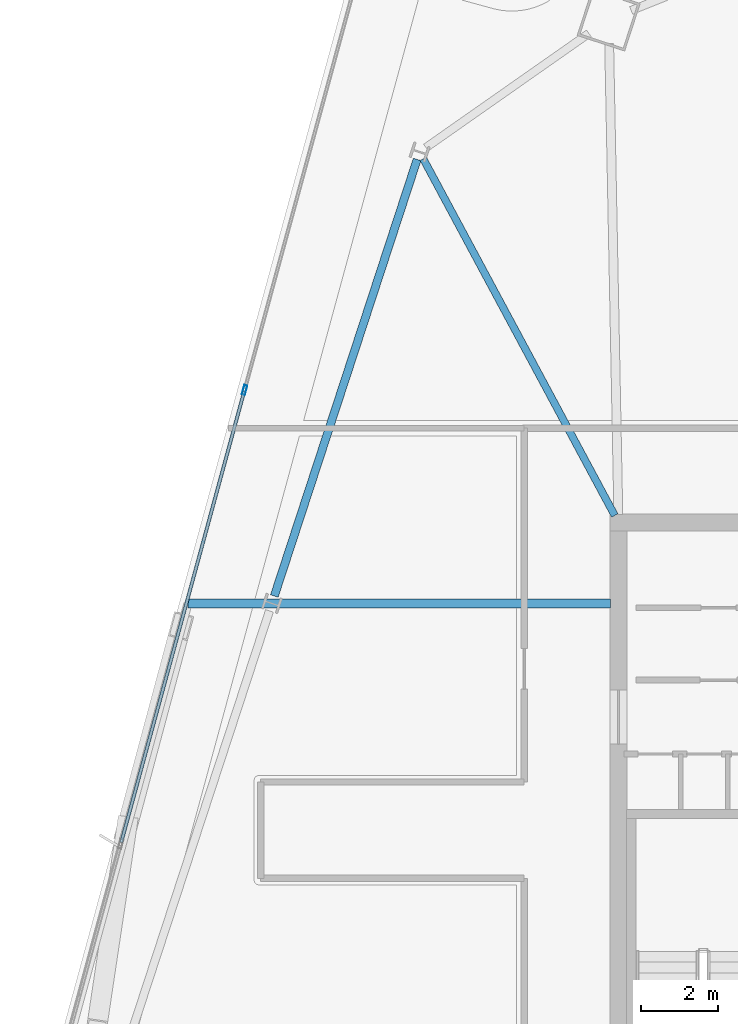
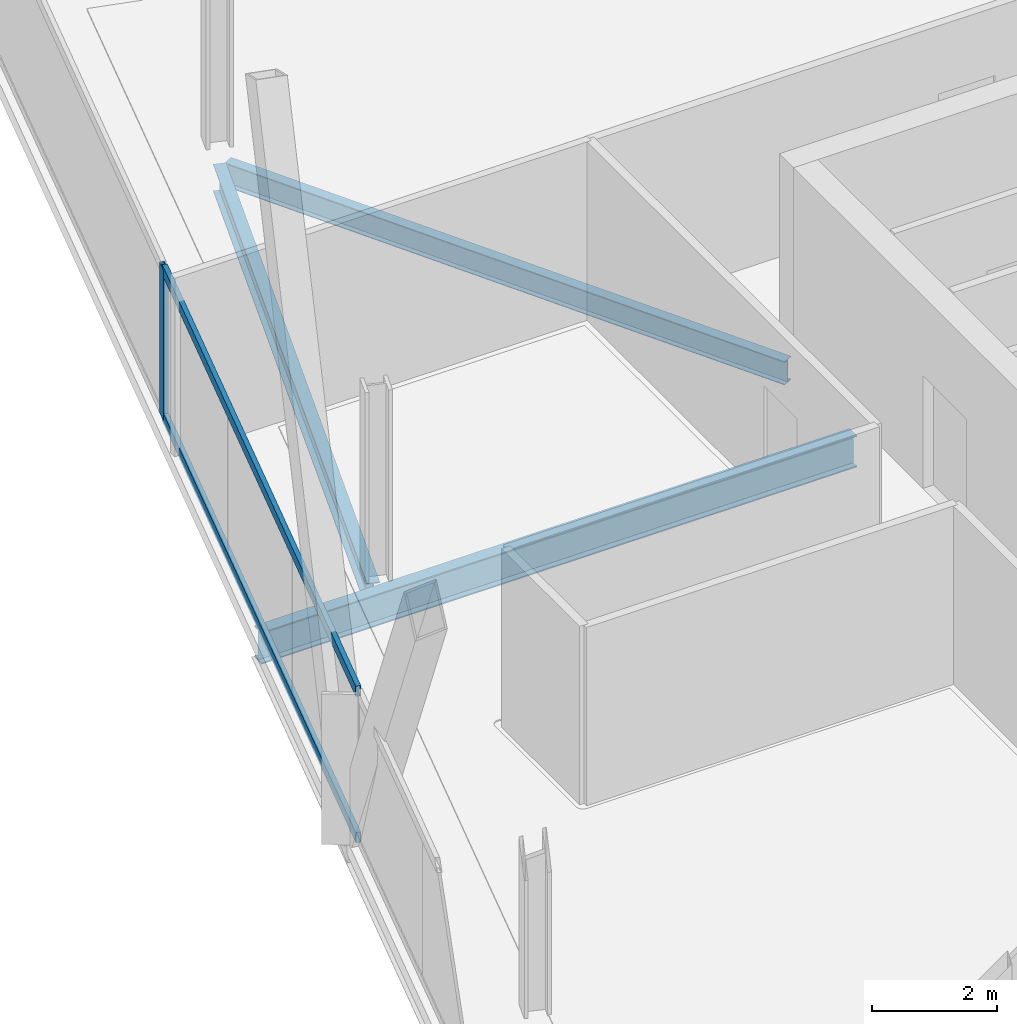
# One storey, part 12 of 26: 3 beams, 3 members, 1 element without a shape of its own.
"""IFC4 building model written with IfcOpenShell, lengths in metres."""

from ifc_helpers import new_model, si_unit, direction, frame, origin, origin_2d, place, context, subcontext, project, spatial, hollow_rectangle, i_section, extrude, material, material_profile, profile_set, type_object, element, aggregate, save


model = new_model("IFC4")

# Units and contexts
model_context = context("Model", 3, precision=1e-05, world=origin(), true_north=direction((0.0, 1.0)))
body_context = subcontext(model_context, "Body", "Model", "MODEL_VIEW")
ifc_project = project(units=[si_unit("LENGTHUNIT", "METRE"), si_unit("AREAUNIT", "SQUARE_METRE"), si_unit("VOLUMEUNIT", "CUBIC_METRE"), si_unit("PLANEANGLEUNIT", "RADIAN"), si_unit("MASSUNIT", "GRAM", prefix="KILO")], contexts=[model_context])

# Site, building, storey
site_placement = place(None, origin())
site = spatial("IfcSite", under=ifc_project, at=site_placement, CompositionType="ELEMENT")
building_placement = place(site_placement, origin())
building = spatial("IfcBuilding", under=site, at=building_placement, Name="Haldenkirk Collegiate Tower", CompositionType="ELEMENT")
storey_placement = place(building_placement, frame((0.0, 0.0, 278.699951171875)))
storey = spatial("IfcBuildingStorey", under=building, at=storey_placement, Name="L70", CompositionType="ELEMENT", Elevation=278.699951171875)

# Beams
ifc_material_1 = material(Name="Steel ASTM A992 Grade 50", Category="steel")
ifc_material_profile_1 = material_profile(ifc_material_1, i_section(OverallWidth=0.22998046875, OverallDepth=0.616943359375, WebThickness=0.01318359375, FlangeThickness=0.022216796875, at=origin_2d()), Name="W24X94")
ifc_profile_set_1 = profile_set([ifc_material_profile_1], Name="Steel ASTM A992 Grade 50")
beam_type_1 = type_object("IfcBeamType", Name="BM-GIRDER-W24X94", PredefinedType="BEAM", material=ifc_profile_set_1)
beam_1_placement = place(storey_placement, frame((15.80908203125, 31.8935546875, -0.578369140625), z_axis=(1.0, 0.0, 0.0), x_axis=(0.0, 1.0, 0.0)))
element("IfcBeam", 1, at=beam_1_placement, inside=storey, type_object=beam_type_1, Name="L70 primary floor girder 12", PredefinedType="BEAM", context=body_context, shape_type="SweptSolid", body=[
    extrude(i_section(OverallWidth=0.22998046875, OverallDepth=0.616943359375, WebThickness=0.01318359375, FlangeThickness=0.022216796875, at=origin_2d()), origin(), (0.0, 0.0, 1.0), 10.98583984375),
])
ifc_material_profile_2 = material_profile(ifc_material_1, i_section(OverallWidth=0.18994140625, OverallDepth=0.45703125, WebThickness=0.009033203125, FlangeThickness=0.014404296875, at=origin_2d()), Name="W18X50")
ifc_profile_set_2 = profile_set([ifc_material_profile_2], Name="Steel ASTM A992 Grade 50")
beam_type_2 = type_object("IfcBeamType", Name="BM-JOIST-W18X50", PredefinedType="JOIST", material=ifc_profile_set_2)
beam_2_placement = place(storey_placement, frame((21.92578125, 43.45068359375, -0.49853515625), z_axis=(0.473049262391, -0.881035978466, 0.0), x_axis=(0.881035978466, 0.473049262391, 0.0)))
element("IfcBeam", 2, at=beam_2_placement, inside=storey, type_object=beam_type_2, Name="L70 composite floor joist 11", PredefinedType="JOIST", context=body_context, shape_type="SweptSolid", body=[
    extrude(i_section(OverallWidth=0.18994140625, OverallDepth=0.45703125, WebThickness=0.009033203125, FlangeThickness=0.014404296875, at=origin_2d()), origin(), (0.0, 0.0, 1.0), 10.521728515625),
])
ifc_material_profile_3 = material_profile(ifc_material_1, i_section(OverallWidth=0.2099609375, OverallDepth=0.537109375, WebThickness=0.010986328125, FlangeThickness=0.017333984375, at=origin_2d()), Name="W21X68")
ifc_profile_set_3 = profile_set([ifc_material_profile_3], Name="Steel ASTM A992 Grade 50")
beam_type_3 = type_object("IfcBeamType", Name="BM-SPANDREL-W21X68", PredefinedType="SPANDREL", material=ifc_profile_set_3)
beam_3_placement = place(storey_placement, frame((21.76708984375, 43.436767578125, -0.538330078125), z_axis=(-0.311010188249, -0.950406577631, 0.0), x_axis=(0.950406577631, -0.311010188249, 0.0)))
element("IfcBeam", 3, at=beam_3_placement, inside=storey, type_object=beam_type_3, Name="L70 perimeter spandrel beam 10", PredefinedType="SPANDREL", context=body_context, shape_type="SweptSolid", body=[
    extrude(i_section(OverallWidth=0.2099609375, OverallDepth=0.537109375, WebThickness=0.010986328125, FlangeThickness=0.017333984375, at=origin_2d()), origin(), (0.0, 0.0, 1.0), 11.94287109375),
])

# Curtain wall, members
ifc_material_2 = material(Name="Anodised architectural bronze aluminium", Category="aluminium")
curtain_wall_type = type_object("IfcCurtainWallType", Name="CW-SYS1B-CONVEX-HI", PredefinedType="USERDEFINED", material=ifc_material_2)
curtain_wall_placement = place(storey_placement, origin())
curtain_wall = element("IfcCurtainWall", 4, at=curtain_wall_placement, inside=storey, type_object=curtain_wall_type, Name="L70 Upper tower high-wind convex bronze unitised curtain wall", ObjectType="UNITISED CURTAIN WALL", PredefinedType="USERDEFINED")
ifc_material_profile_4 = material_profile(ifc_material_2, hollow_rectangle(XDim=0.0849609375, YDim=0.25, WallThickness=0.0048828125, at=origin_2d()), Name="CW-MUL-1B")
ifc_profile_set_4 = profile_set([ifc_material_profile_4], Name="Anodised architectural bronze aluminium")
member_type_1 = type_object("IfcMemberType", Name="CW-MUL-1B", PredefinedType="MULLION", material=ifc_profile_set_4)
member_1_placement = place(storey_placement, frame((17.28076171875, 37.443359375, 0.0), z_axis=(0.0, 0.0, 1.0), x_axis=(-0.964786957297, 0.263032558878, 0.0)))
member_1 = element("IfcMember", 5, at=member_1_placement, type_object=member_type_1, Name="CW-1B mullion 3", PredefinedType="MULLION", context=body_context, shape_type="SweptSolid", body=[
    extrude(hollow_rectangle(XDim=0.0849609375, YDim=0.25, WallThickness=0.0048828125, at=origin_2d()), origin(), (0.0, 0.0, 1.0), 2.93798828125),
])
ifc_material_profile_5 = material_profile(ifc_material_2, hollow_rectangle(XDim=0.0849609375, YDim=0.199951171875, WallThickness=0.0048828125, at=origin_2d()), Name="CW-TRN-1B")
ifc_profile_set_5 = profile_set([ifc_material_profile_5], Name="Anodised architectural bronze aluminium")
member_type_2 = type_object("IfcMemberType", Name="CW-TRN-1B", PredefinedType="USERDEFINED", material=ifc_profile_set_5)
member_2_placement = place(storey_placement, frame((14.07421875, 25.681884765625, 0.04248046875), z_axis=(0.263045984416, 0.964783296955, 0.0), x_axis=(-0.964783296955, 0.263045984416, 0.0)))
member_2 = element("IfcMember", 6, at=member_2_placement, type_object=member_type_2, Name="CW-1B transom 2.1", ObjectType="TRANSOM", PredefinedType="USERDEFINED", context=body_context, shape_type="SweptSolid", body=[
    extrude(hollow_rectangle(XDim=0.0849609375, YDim=0.199951171875, WallThickness=0.0048828125, at=origin_2d()), origin(), (0.0, 0.0, 1.0), 12.148193359375),
])
member_3_placement = place(storey_placement, frame((14.07421875, 25.681884765625, 2.8955078125), z_axis=(0.263045984416, 0.964783296955, 0.0), x_axis=(-0.964783296955, 0.263045984416, 0.0)))
member_3 = element("IfcMember", 7, at=member_3_placement, type_object=member_type_2, Name="CW-1B transom 2.2", ObjectType="TRANSOM", PredefinedType="USERDEFINED", context=body_context, shape_type="SweptSolid", body=[
    extrude(hollow_rectangle(XDim=0.0849609375, YDim=0.199951171875, WallThickness=0.0048828125, at=origin_2d()), origin(), (0.0, 0.0, 1.0), 12.148193359375),
])
aggregate(curtain_wall, [member_1, member_2, member_3])

save(model, "model.ifc")
